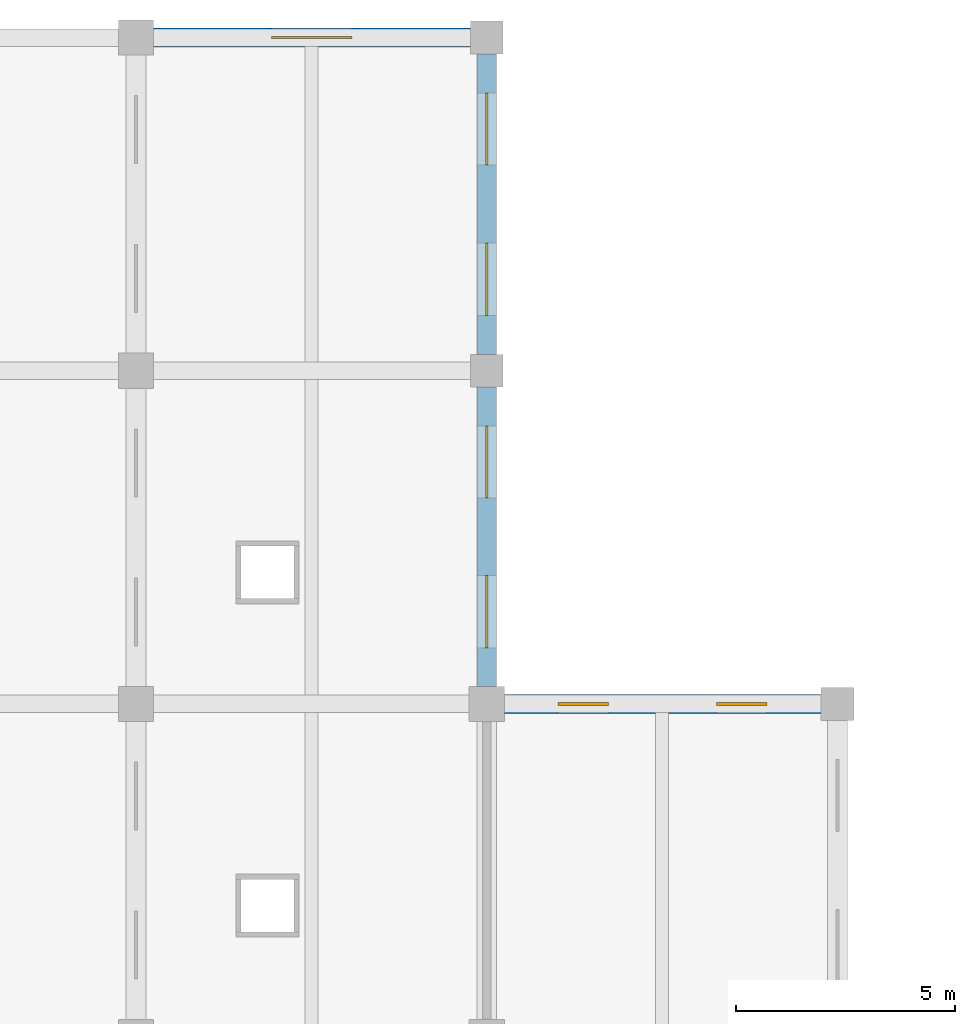
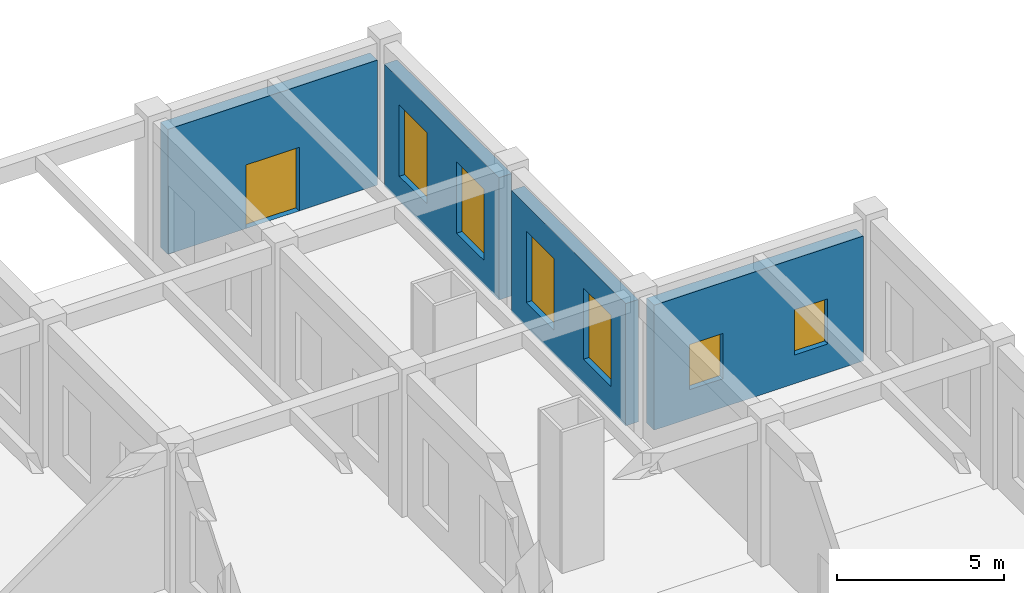
# One storey, part 84 of 95: 6 windows, 4 walls, 1 door, 7 openings.
"""IFC4 building model written with IfcOpenShell, lengths in metres."""

from ifc_helpers import new_model, si_unit, direction, frame, frame_2d, origin, place, context, subcontext, project, spatial, rectangle, extrude, material, layer, layer_set, type_object, element, fill, save


model = new_model("IFC4")

# Units and contexts
model_context = context("Model", 3, precision=1e-05, world=origin(), true_north=direction((0.0, 1.0)))
body_context = subcontext(model_context, "Body", "Model", "MODEL_VIEW")
ifc_project = project(units=[si_unit("LENGTHUNIT", "METRE"), si_unit("AREAUNIT", "SQUARE_METRE"), si_unit("VOLUMEUNIT", "CUBIC_METRE"), si_unit("PLANEANGLEUNIT", "RADIAN"), si_unit("MASSUNIT", "GRAM", prefix="KILO")], contexts=[model_context])

# Site, building, storey
site_placement = place(None, origin())
site = spatial("IfcSite", under=ifc_project, at=site_placement, CompositionType="ELEMENT")
building_placement = place(site_placement, origin())
building = spatial("IfcBuilding", under=site, at=building_placement, Name="Zantavel Square City Hall", CompositionType="ELEMENT")
storey_placement = place(building_placement, origin())
storey = spatial("IfcBuildingStorey", under=building, at=storey_placement, Name="L01", CompositionType="ELEMENT", Elevation=0.0)

# Wall, opening, door
ifc_material_1 = material(Name="Tezontle volcanic basaltic scoria stone", Category="masonry")
ifc_layer = layer(ifc_material_1, 0.43994140625, Name="Tezontle volcanic basaltic scoria stone")
ifc_layer_set = layer_set([ifc_layer], Name="Tezontle volcanic basaltic scoria stone")
wall_type = type_object("IfcWallType", Name="Tezontle Rusticated Plinth Wall 440mm", PredefinedType="STANDARD", material=ifc_layer_set)
wall_1_placement = place(storey_placement, frame((136.39990234375, 114.0, 0.0), z_axis=(0.0, 0.0, 1.0), x_axis=(1.0, 0.0, 0.0)))
wall_1 = element("IfcWall", 1, at=wall_1_placement, inside=storey, type_object=wall_type, Name="L01 Exterior Wall EW-L01-045", PredefinedType="STANDARD", context=body_context, shape_type="SweptSolid", body=[
    extrude(rectangle(XDim=7.22509765625, YDim=0.43994140625, at=frame_2d((3.612548828125, 0.0))), origin(), (0.0, 0.0, 1.0), 4.56005859375),
])
opening_1_placement = place(wall_1_placement, frame((2.6923828125, 0.0, 0.0)))
opening_1 = element("IfcOpeningElement", 2, at=opening_1_placement, cuts=wall_1, Name="Opening ED-007", PredefinedType="OPENING", context=body_context, shape_type="SweptSolid", body=[
    extrude(rectangle(XDim=1.840087890625, YDim=2.320068359375, at=frame_2d((0.919921875, 1.16015625))), frame((0.0, 0.22998046875, 0.0), z_axis=(0.0, -1.0, 0.0), x_axis=(1.0, 0.0, 0.0)), (0.0, 0.0, 1.0), 0.4599609375),
])
ifc_material_2 = material(Name="Steel ASTM A500 Grade B", Category="steel")
door_type = type_object("IfcDoorType", Name="Stair Final Discharge Exit Door 1840x2320", OperationType="NOTDEFINED", PredefinedType="DOOR", material=ifc_material_2)
door_placement = place(opening_1_placement, origin())
door = element("IfcDoor", 3, at=door_placement, inside=storey, type_object=door_type, Name="North-East Cadastral Wing Exit", OperationType="DOUBLE_DOOR_SINGLE_SWING", OverallHeight=2.320068359375, OverallWidth=1.840087890625, PredefinedType="DOOR", context=body_context, shape_type="SweptSolid", body=[
    extrude(rectangle(XDim=1.840087890625, YDim=2.320068359375, at=frame_2d((0.919921875, 1.16015625))), frame((0.0, 0.02490234375, 0.0), z_axis=(0.0, -1.0, 0.0), x_axis=(1.0, 0.0, 0.0)), (0.0, 0.0, 1.0), 0.050048828125),
])
fill(opening_1, door)

# Wall, openings, windows
wall_2_placement = place(storey_placement, frame((144.0, 113.625, 0.0), z_axis=(0.0, 0.0, 1.0), x_axis=(0.0, -1.0, 0.0)))
wall_2 = element("IfcWall", 4, at=wall_2_placement, inside=storey, type_object=wall_type, Name="L01 Exterior Wall EW-L01-046", PredefinedType="STANDARD", context=body_context, shape_type="SweptSolid", body=[
    extrude(rectangle(XDim=6.85009765625, YDim=0.43994140625, at=frame_2d((3.425048828125, 0.0))), origin(), (0.0, 0.0, 1.0), 4.4599609375),
])
opening_2_placement = place(wall_2_placement, frame((0.887451171875, 0.0, 0.89990234375)))
opening_2 = element("IfcOpeningElement", 5, at=opening_2_placement, cuts=wall_2, Name="Opening W-066", PredefinedType="OPENING", context=body_context, shape_type="SweptSolid", body=[
    extrude(rectangle(XDim=1.64990234375, YDim=2.60009765625, at=frame_2d((0.824951171875, 1.300048828125))), frame((0.0, 0.22998046875, 0.0), z_axis=(0.0, -1.0, 0.0), x_axis=(1.0, 0.0, 0.0)), (0.0, 0.0, 1.0), 0.4599609375),
])
opening_3_placement = place(wall_2_placement, frame((4.3125, 0.0, 0.89990234375)))
opening_3 = element("IfcOpeningElement", 6, at=opening_3_placement, cuts=wall_2, Name="Opening W-067", PredefinedType="OPENING", context=body_context, shape_type="SweptSolid", body=[
    extrude(rectangle(XDim=1.64990234375, YDim=2.60009765625, at=frame_2d((0.824951171875, 1.300048828125))), frame((0.0, 0.22998046875, 0.0), z_axis=(0.0, -1.0, 0.0), x_axis=(1.0, 0.0, 0.0)), (0.0, 0.0, 1.0), 0.4599609375),
])
ifc_material_3 = material(Name="Tempered safety glass low-E double glazing", Category="glass")
window_type_1 = type_object("IfcWindowType", Name="Window Ground Civic Tall 1650x2600", PartitioningType="DOUBLE_PANEL_VERTICAL", PredefinedType="WINDOW", material=ifc_material_3)
window_1_placement = place(opening_2_placement, origin())
window_1 = element("IfcWindow", 7, at=window_1_placement, inside=storey, type_object=window_type_1, Name="L01 Window W-066", OverallHeight=2.60009765625, OverallWidth=1.64990234375, PartitioningType="DOUBLE_PANEL_VERTICAL", PredefinedType="WINDOW", context=body_context, shape_type="SweptSolid", body=[
    extrude(rectangle(XDim=1.64990234375, YDim=2.60009765625, at=frame_2d((0.824951171875, 1.300048828125))), frame((0.0, 0.030029296875, 0.0), z_axis=(0.0, -1.0, 0.0), x_axis=(1.0, 0.0, 0.0)), (0.0, 0.0, 1.0), 0.06005859375),
])
fill(opening_2, window_1)
window_2_placement = place(opening_3_placement, origin())
window_2 = element("IfcWindow", 8, at=window_2_placement, inside=storey, type_object=window_type_1, Name="L01 Window W-067", OverallHeight=2.60009765625, OverallWidth=1.64990234375, PartitioningType="DOUBLE_PANEL_VERTICAL", PredefinedType="WINDOW", context=body_context, shape_type="SweptSolid", body=[
    extrude(rectangle(XDim=1.64990234375, YDim=2.60009765625, at=frame_2d((0.824951171875, 1.300048828125))), frame((0.0, 0.030029296875, 0.0), z_axis=(0.0, -1.0, 0.0), x_axis=(1.0, 0.0, 0.0)), (0.0, 0.0, 1.0), 0.06005859375),
])
fill(opening_3, window_2)

wall_3_placement = place(storey_placement, frame((144.0, 106.02490234375, 0.0), z_axis=(0.0, 0.0, 1.0), x_axis=(0.0, -1.0, 0.0)))
wall_3 = element("IfcWall", 9, at=wall_3_placement, inside=storey, type_object=wall_type, Name="L01 Exterior Wall EW-L01-047", PredefinedType="STANDARD", context=body_context, shape_type="SweptSolid", body=[
    extrude(rectangle(XDim=6.824951171875, YDim=0.43994140625, at=frame_2d((3.41259765625, 0.0))), origin(), (0.0, 0.0, 1.0), 4.4599609375),
])
opening_4_placement = place(wall_3_placement, frame((0.88134765625, 0.0, 0.89990234375)))
opening_4 = element("IfcOpeningElement", 10, at=opening_4_placement, cuts=wall_3, Name="Opening W-068", PredefinedType="OPENING", context=body_context, shape_type="SweptSolid", body=[
    extrude(rectangle(XDim=1.64990234375, YDim=2.60009765625, at=frame_2d((0.824951171875, 1.300048828125))), frame((0.0, 0.22998046875, 0.0), z_axis=(0.0, -1.0, 0.0), x_axis=(1.0, 0.0, 0.0)), (0.0, 0.0, 1.0), 0.4599609375),
])
opening_5_placement = place(wall_3_placement, frame((4.293701171875, 0.0, 0.89990234375)))
opening_5 = element("IfcOpeningElement", 11, at=opening_5_placement, cuts=wall_3, Name="Opening W-069", PredefinedType="OPENING", context=body_context, shape_type="SweptSolid", body=[
    extrude(rectangle(XDim=1.64990234375, YDim=2.60009765625, at=frame_2d((0.824951171875, 1.300048828125))), frame((0.0, 0.22998046875, 0.0), z_axis=(0.0, -1.0, 0.0), x_axis=(1.0, 0.0, 0.0)), (0.0, 0.0, 1.0), 0.4599609375),
])
window_3_placement = place(opening_4_placement, origin())
window_3 = element("IfcWindow", 12, at=window_3_placement, inside=storey, type_object=window_type_1, Name="L01 Window W-068", OverallHeight=2.60009765625, OverallWidth=1.64990234375, PartitioningType="DOUBLE_PANEL_VERTICAL", PredefinedType="WINDOW", context=body_context, shape_type="SweptSolid", body=[
    extrude(rectangle(XDim=1.64990234375, YDim=2.60009765625, at=frame_2d((0.824951171875, 1.300048828125))), frame((0.0, 0.030029296875, 0.0), z_axis=(0.0, -1.0, 0.0), x_axis=(1.0, 0.0, 0.0)), (0.0, 0.0, 1.0), 0.06005859375),
])
fill(opening_4, window_3)
window_4_placement = place(opening_5_placement, origin())
window_4 = element("IfcWindow", 13, at=window_4_placement, inside=storey, type_object=window_type_1, Name="L01 Window W-069", OverallHeight=2.60009765625, OverallWidth=1.64990234375, PartitioningType="DOUBLE_PANEL_VERTICAL", PredefinedType="WINDOW", context=body_context, shape_type="SweptSolid", body=[
    extrude(rectangle(XDim=1.64990234375, YDim=2.60009765625, at=frame_2d((0.824951171875, 1.300048828125))), frame((0.0, 0.030029296875, 0.0), z_axis=(0.0, -1.0, 0.0), x_axis=(1.0, 0.0, 0.0)), (0.0, 0.0, 1.0), 0.06005859375),
])
fill(opening_5, window_4)

wall_4_placement = place(storey_placement, frame((144.39990234375, 98.800048828125, 0.0), z_axis=(0.0, 0.0, 1.0), x_axis=(1.0, 0.0, 0.0)))
wall_4 = element("IfcWall", 14, at=wall_4_placement, inside=storey, type_object=wall_type, Name="L01 Exterior Wall EW-L01-048", PredefinedType="STANDARD", context=body_context, shape_type="SweptSolid", body=[
    extrude(rectangle(XDim=7.22509765625, YDim=0.43994140625, at=frame_2d((3.612548828125, 0.0))), origin(), (0.0, 0.0, 1.0), 4.56005859375),
])
opening_6_placement = place(wall_4_placement, frame((1.231201171875, 0.0, 1.050048828125)))
opening_6 = element("IfcOpeningElement", 15, at=opening_6_placement, cuts=wall_4, Name="Opening W-070", PredefinedType="OPENING", context=body_context, shape_type="SweptSolid", body=[
    extrude(rectangle(XDim=1.14990234375, YDim=1.64990234375, at=frame_2d((0.574951171875, 0.824951171875))), frame((0.0, 0.22998046875, 0.0), z_axis=(0.0, -1.0, 0.0), x_axis=(1.0, 0.0, 0.0)), (0.0, 0.0, 1.0), 0.4599609375),
])
opening_7_placement = place(wall_4_placement, frame((4.84375, 0.0, 1.050048828125)))
opening_7 = element("IfcOpeningElement", 16, at=opening_7_placement, cuts=wall_4, Name="Opening W-071", PredefinedType="OPENING", context=body_context, shape_type="SweptSolid", body=[
    extrude(rectangle(XDim=1.14990234375, YDim=1.64990234375, at=frame_2d((0.574951171875, 0.824951171875))), frame((0.0, 0.22998046875, 0.0), z_axis=(0.0, -1.0, 0.0), x_axis=(1.0, 0.0, 0.0)), (0.0, 0.0, 1.0), 0.4599609375),
])
window_type_2 = type_object("IfcWindowType", Name="Window Ground North Compact 1150x1650", PartitioningType="SINGLE_PANEL", PredefinedType="WINDOW", material=ifc_material_3)
window_5_placement = place(opening_6_placement, origin())
window_5 = element("IfcWindow", 17, at=window_5_placement, inside=storey, type_object=window_type_2, Name="L01 Window W-070", OverallHeight=1.64990234375, OverallWidth=1.14990234375, PartitioningType="SINGLE_PANEL", PredefinedType="WINDOW", context=body_context, shape_type="SweptSolid", body=[
    extrude(rectangle(XDim=1.14990234375, YDim=1.64990234375, at=frame_2d((0.574951171875, 0.824951171875))), frame((0.0, 0.030029296875, 0.0), z_axis=(0.0, -1.0, 0.0), x_axis=(1.0, 0.0, 0.0)), (0.0, 0.0, 1.0), 0.06005859375),
])
fill(opening_6, window_5)
window_6_placement = place(opening_7_placement, origin())
window_6 = element("IfcWindow", 18, at=window_6_placement, inside=storey, type_object=window_type_2, Name="L01 Window W-071", OverallHeight=1.64990234375, OverallWidth=1.14990234375, PartitioningType="SINGLE_PANEL", PredefinedType="WINDOW", context=body_context, shape_type="SweptSolid", body=[
    extrude(rectangle(XDim=1.14990234375, YDim=1.64990234375, at=frame_2d((0.574951171875, 0.824951171875))), frame((0.0, 0.030029296875, 0.0), z_axis=(0.0, -1.0, 0.0), x_axis=(1.0, 0.0, 0.0)), (0.0, 0.0, 1.0), 0.06005859375),
])
fill(opening_7, window_6)

save(model, "model.ifc")
